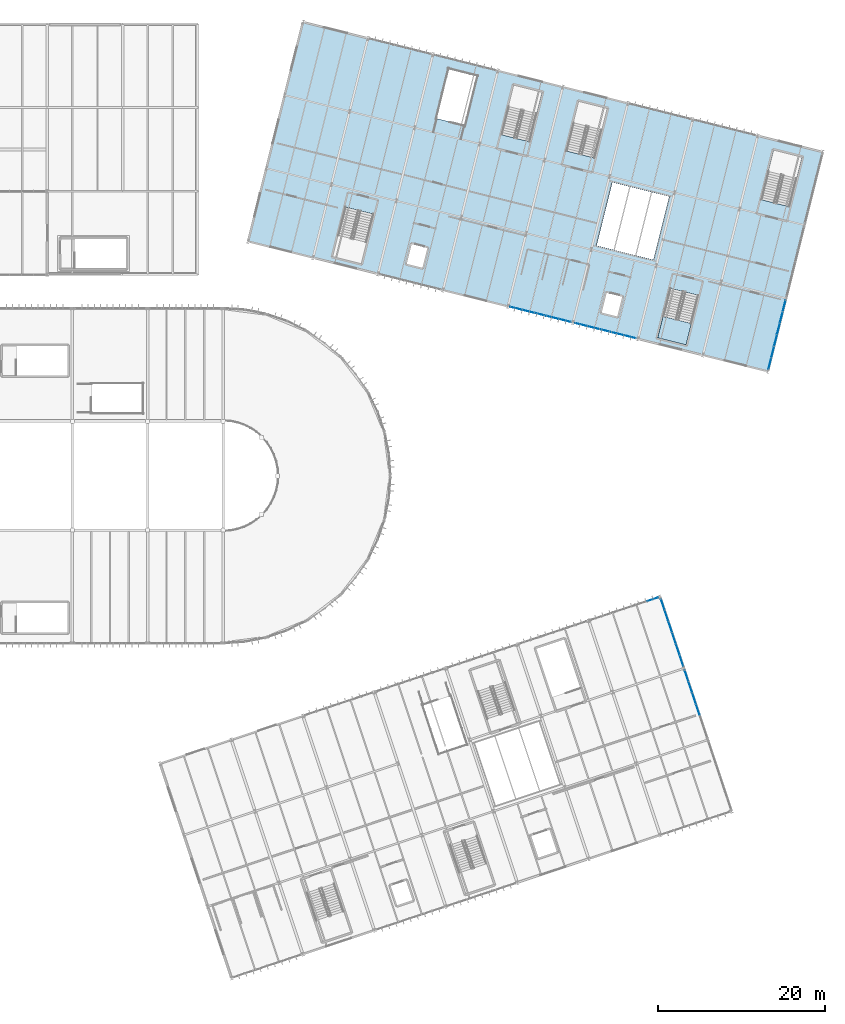
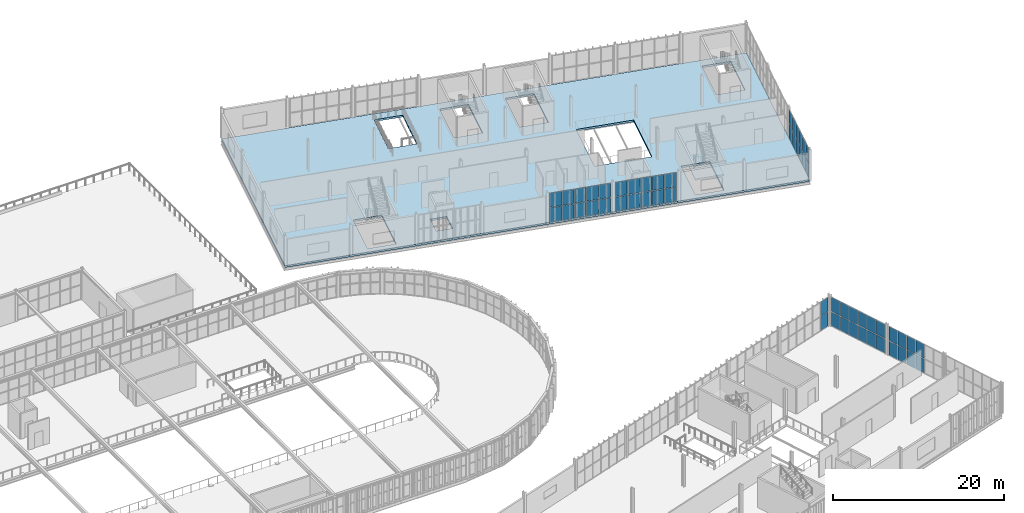
# One storey, part 115 of 152: 54 plates, 2 slabs, 7 elements without a shape of their own.
"""IFC4 building model written with IfcOpenShell, lengths in metres."""

from ifc_helpers import new_model, si_unit, derived_unit, direction, frame, origin, origin_2d, place, context, subcontext, project, spatial, polyline, rectangle, outline, extrude, material, layer, layer_set, type_object, element, aggregate, save


model = new_model("IFC4")

# Units and contexts
model_context = context("Model", 3, precision=1e-05, world=origin(), true_north=direction((0.0, 1.0)))
body_context = subcontext(model_context, "Body", "Model", "MODEL_VIEW")
ifc_project = project(units=[si_unit("LENGTHUNIT", "METRE"), si_unit("AREAUNIT", "SQUARE_METRE"), si_unit("VOLUMEUNIT", "CUBIC_METRE"), si_unit("PLANEANGLEUNIT", "RADIAN"), si_unit("MASSUNIT", "GRAM", prefix="KILO"), si_unit("THERMODYNAMICTEMPERATUREUNIT", "KELVIN"), si_unit("TIMEUNIT", "SECOND"), derived_unit("THERMALTRANSMITTANCEUNIT", [(si_unit("MASSUNIT", "GRAM", prefix="KILO"), 1), (si_unit("THERMODYNAMICTEMPERATUREUNIT", "KELVIN"), -1), (si_unit("TIMEUNIT", "SECOND"), -3)])], contexts=[model_context])

# Site, building, storey
site_placement = place(None, origin())
site = spatial("IfcSite", under=ifc_project, at=site_placement, CompositionType="ELEMENT")
building_placement = place(site_placement, origin())
building = spatial("IfcBuilding", under=site, at=building_placement, Name="Cambertide Market Hall", CompositionType="ELEMENT")
storey_placement = place(building_placement, frame((0.0, 0.0, 5.39990234375)))
storey = spatial("IfcBuildingStorey", under=building, at=storey_placement, Name="L02", CompositionType="ELEMENT", Elevation=5.39990234375)

# Stair, slab
ifc_material_1 = material(Name="Concrete B35", Category="concrete")
stair_type = type_object("IfcStairType", Name="Concrete Dogleg Stair ST-08A", PredefinedType="HALF_TURN_STAIR", material=ifc_material_1)
stair_placement = place(storey_placement, origin())
stair = element("IfcStair", 1, at=stair_placement, inside=storey, type_object=stair_type, Name="Level 2 Exit Stair Core 08A", PredefinedType="HALF_TURN_STAIR")
ifc_material_2 = material(Name="Concrete B35", Category="concrete")
ifc_layer_1 = layer(ifc_material_2, 0.199951171875, Name="Concrete Stair Half-Landing 200")
ifc_layer_set_1 = layer_set([ifc_layer_1], Name="Concrete B35")
slab_type_1 = type_object("IfcSlabType", Name="Concrete Stair Half-Landing 200", PredefinedType="LANDING", material=ifc_layer_set_1)
slab_1_placement = place(storey_placement, frame((0.0, 0.0, 2.050048828125)))
slab_1 = element("IfcSlab", 2, at=slab_1_placement, type_object=slab_type_1, Name="ST-08A landing 1", PredefinedType="LANDING", context=body_context, shape_type="SweptSolid", body=[
    extrude(outline(polyline([(157.555908203125, 91.037353515625), (156.91943359375, 88.49169921875), (160.31494140625, 87.642822265625), (160.951416015625, 90.1884765625), (157.555908203125, 91.037353515625)])), origin(), (0.0, 0.0, 1.0), 0.199951171875),
])
aggregate(stair, [slab_1])

# Slab
ifc_material_3 = material(Name="Concrete B30", Category="concrete")
ifc_layer_2 = layer(ifc_material_3, 0.264892578125, Name="Culinary Kitchen Suspended Slab 265")
ifc_layer_set_2 = layer_set([ifc_layer_2], Name="Concrete B30")
slab_type_2 = type_object("IfcSlabType", Name="Culinary Kitchen Suspended Slab 265", PredefinedType="FLOOR", material=ifc_layer_set_2)
slab_2_placement = place(storey_placement, frame((0.0, 0.0, -0.264892578125)))
element("IfcSlab", 3, at=slab_2_placement, inside=storey, type_object=slab_type_2, Name="Level 2 Slab SLB-L02-V4", PredefinedType="FLOOR", context=body_context, shape_type="SweptSolid", body=[
    extrude(outline(polyline([(108.0, 100.0), (170.089111328125, 84.477783203125), (176.6376953125, 110.671630859375), (114.548583984375, 126.19384765625), (108.0, 100.0)]), holes=[polyline([(122.98779296875, 103.25830078125), (121.50927734375, 97.34423828125), (118.11376953125, 98.193115234375), (119.59228515625, 104.107177734375), (122.98779296875, 103.25830078125)]), polyline([(138.2451171875, 112.7490234375), (139.7236328125, 118.6630859375), (143.119140625, 117.814208984375), (141.640625, 111.900146484375), (138.2451171875, 112.7490234375)]), polyline([(161.79345703125, 93.556884765625), (160.31494140625, 87.642822265625), (156.91943359375, 88.49169921875), (158.39794921875, 94.40576171875), (161.79345703125, 93.556884765625)]), polyline([(169.289794921875, 104.988037109375), (170.768310546875, 110.90185546875), (174.163818359375, 110.05322265625), (172.685302734375, 104.13916015625), (169.289794921875, 104.988037109375)]), polyline([(146.00634765625, 110.808837890625), (147.48486328125, 116.722900390625), (150.88037109375, 115.8740234375), (149.40185546875, 109.9599609375), (146.00634765625, 110.808837890625)]), polyline([(130.484130859375, 114.689453125), (131.96240234375, 120.603515625), (135.35791015625, 119.754638671875), (133.879638671875, 113.840576171875), (130.484130859375, 114.689453125)]), polyline([(127.511962890625, 99.708984375), (129.452392578125, 99.223876953125), (128.845947265625, 96.798583984375), (126.90576171875, 97.28369140625), (127.511962890625, 99.708984375)]), polyline([(150.79541015625, 93.88818359375), (152.735595703125, 93.403076171875), (152.12939453125, 90.977783203125), (150.18896484375, 91.462646484375), (150.79541015625, 93.88818359375)]), polyline([(151.510986328125, 107.057861328125), (158.302001953125, 105.360107421875), (156.41015625, 97.79296875), (149.619140625, 99.49072265625), (151.510986328125, 107.057861328125)])]), origin(), (0.0, 0.0, 1.0), 0.264892578125),
])

# Curtain wall, plates
ifc_material_4 = material(Name="Marine Anodized Aluminium 6063-T6 AA25", Category="aluminium")
curtain_wall_type_1 = type_object("IfcCurtainWallType", Name="Food Court Upper Glazed Facade", PredefinedType="USERDEFINED", material=ifc_material_4)
curtain_wall_1_placement = place(storey_placement, origin())
curtain_wall_1 = element("IfcCurtainWall", 4, at=curtain_wall_1_placement, inside=storey, type_object=curtain_wall_type_1, Name="Level 2 Curtain Wall CW-V3N-L02-7", ObjectType="UNITIZED CURTAIN WALL", PredefinedType="USERDEFINED")
ifc_material_5 = material(Name="Low-E Laminated Insulated Glass", Category="glass")
ifc_layer_3 = layer(ifc_material_5, 0.028076171875, Name="Vision Insulated Glazing Panel 28")
ifc_layer_set_3 = layer_set([ifc_layer_3], Name="Low-E Laminated Insulated Glass")
plate_type = type_object("IfcPlateType", Name="Vision Insulated Glazing Panel 28", PredefinedType="CURTAIN_PANEL", material=ifc_layer_set_3)
plate_1_placement = place(storey_placement, frame((156.32763671875, 57.236328125, 0.0400390625), z_axis=(0.0, 0.0, 1.0), x_axis=(0.948683286311, 0.316227801236, 0.0)))
plate_1 = element("IfcPlate", 5, at=plate_1_placement, type_object=plate_type, Name="CW-V3N-L02-7 Glazing Panel 1-6", PredefinedType="CURTAIN_PANEL", context=body_context, shape_type="SweptSolid", body=[
    extrude(rectangle(XDim=1.340087890625, YDim=0.028076171875, at=origin_2d()), origin(), (0.0, 0.0, 1.0), 2.02001953125),
])
plate_2_placement = place(storey_placement, frame((156.32763671875, 57.236328125, 2.14013671875), z_axis=(0.0, 0.0, 1.0), x_axis=(0.948683286311, 0.316227801236, 0.0)))
plate_2 = element("IfcPlate", 6, at=plate_2_placement, type_object=plate_type, Name="CW-V3N-L02-7 Glazing Panel 2-6", PredefinedType="CURTAIN_PANEL", context=body_context, shape_type="SweptSolid", body=[
    extrude(rectangle(XDim=1.340087890625, YDim=0.028076171875, at=origin_2d()), origin(), (0.0, 0.0, 1.0), 2.02001953125),
])
aggregate(curtain_wall_1, [plate_1, plate_2])

curtain_wall_2_placement = place(storey_placement, origin())
curtain_wall_2 = element("IfcCurtainWall", 7, at=curtain_wall_2_placement, inside=storey, type_object=curtain_wall_type_1, Name="Level 2 Curtain Wall CW-V3E-L02-2", ObjectType="UNITIZED CURTAIN WALL", PredefinedType="USERDEFINED")
plate_3_placement = place(storey_placement, frame((160.375244140625, 48.097412109375, 0.0400390625), z_axis=(0.0, 0.0, 1.0), x_axis=(0.316227695598, -0.948683321523, 0.0)))
plate_3 = element("IfcPlate", 8, at=plate_3_placement, type_object=plate_type, Name="CW-V3E-L02-2 Glazing Panel 1-1", PredefinedType="CURTAIN_PANEL", context=body_context, shape_type="SweptSolid", body=[
    extrude(rectangle(XDim=1.340087890625, YDim=0.028076171875, at=origin_2d()), origin(), (0.0, 0.0, 1.0), 2.02001953125),
])
plate_4_placement = place(storey_placement, frame((160.824462890625, 46.750244140625, 0.0400390625), z_axis=(0.0, 0.0, 1.0), x_axis=(0.316227695598, -0.948683321523, 0.0)))
plate_4 = element("IfcPlate", 9, at=plate_4_placement, type_object=plate_type, Name="CW-V3E-L02-2 Glazing Panel 1-2", PredefinedType="CURTAIN_PANEL", context=body_context, shape_type="SweptSolid", body=[
    extrude(rectangle(XDim=1.340087890625, YDim=0.028076171875, at=origin_2d()), origin(), (0.0, 0.0, 1.0), 2.02001953125),
])
plate_5_placement = place(storey_placement, frame((161.2734375, 45.403076171875, 0.0400390625), z_axis=(0.0, 0.0, 1.0), x_axis=(0.316227695598, -0.948683321523, 0.0)))
plate_5 = element("IfcPlate", 10, at=plate_5_placement, type_object=plate_type, Name="CW-V3E-L02-2 Glazing Panel 1-3", PredefinedType="CURTAIN_PANEL", context=body_context, shape_type="SweptSolid", body=[
    extrude(rectangle(XDim=1.340087890625, YDim=0.028076171875, at=origin_2d()), origin(), (0.0, 0.0, 1.0), 2.02001953125),
])
plate_6_placement = place(storey_placement, frame((161.722412109375, 44.055908203125, 0.0400390625), z_axis=(0.0, 0.0, 1.0), x_axis=(0.316227695598, -0.948683321523, 0.0)))
plate_6 = element("IfcPlate", 11, at=plate_6_placement, type_object=plate_type, Name="CW-V3E-L02-2 Glazing Panel 1-4", PredefinedType="CURTAIN_PANEL", context=body_context, shape_type="SweptSolid", body=[
    extrude(rectangle(XDim=1.340087890625, YDim=0.028076171875, at=origin_2d()), origin(), (0.0, 0.0, 1.0), 2.02001953125),
])
plate_7_placement = place(storey_placement, frame((160.375244140625, 48.097412109375, 2.14013671875), z_axis=(0.0, 0.0, 1.0), x_axis=(0.316227695598, -0.948683321523, 0.0)))
plate_7 = element("IfcPlate", 12, at=plate_7_placement, type_object=plate_type, Name="CW-V3E-L02-2 Glazing Panel 2-1", PredefinedType="CURTAIN_PANEL", context=body_context, shape_type="SweptSolid", body=[
    extrude(rectangle(XDim=1.340087890625, YDim=0.028076171875, at=origin_2d()), origin(), (0.0, 0.0, 1.0), 2.02001953125),
])
plate_8_placement = place(storey_placement, frame((160.824462890625, 46.750244140625, 2.14013671875), z_axis=(0.0, 0.0, 1.0), x_axis=(0.316227695598, -0.948683321523, 0.0)))
plate_8 = element("IfcPlate", 13, at=plate_8_placement, type_object=plate_type, Name="CW-V3E-L02-2 Glazing Panel 2-2", PredefinedType="CURTAIN_PANEL", context=body_context, shape_type="SweptSolid", body=[
    extrude(rectangle(XDim=1.340087890625, YDim=0.028076171875, at=origin_2d()), origin(), (0.0, 0.0, 1.0), 2.02001953125),
])
plate_9_placement = place(storey_placement, frame((161.2734375, 45.403076171875, 2.14013671875), z_axis=(0.0, 0.0, 1.0), x_axis=(0.316227695598, -0.948683321523, 0.0)))
plate_9 = element("IfcPlate", 14, at=plate_9_placement, type_object=plate_type, Name="CW-V3E-L02-2 Glazing Panel 2-3", PredefinedType="CURTAIN_PANEL", context=body_context, shape_type="SweptSolid", body=[
    extrude(rectangle(XDim=1.340087890625, YDim=0.028076171875, at=origin_2d()), origin(), (0.0, 0.0, 1.0), 2.02001953125),
])
plate_10_placement = place(storey_placement, frame((161.722412109375, 44.055908203125, 2.14013671875), z_axis=(0.0, 0.0, 1.0), x_axis=(0.316227695598, -0.948683321523, 0.0)))
plate_10 = element("IfcPlate", 15, at=plate_10_placement, type_object=plate_type, Name="CW-V3E-L02-2 Glazing Panel 2-4", PredefinedType="CURTAIN_PANEL", context=body_context, shape_type="SweptSolid", body=[
    extrude(rectangle(XDim=1.340087890625, YDim=0.028076171875, at=origin_2d()), origin(), (0.0, 0.0, 1.0), 2.02001953125),
])
aggregate(curtain_wall_2, [plate_3, plate_4, plate_5, plate_6, plate_7, plate_8, plate_9, plate_10])

curtain_wall_3_placement = place(storey_placement, origin())
curtain_wall_3 = element("IfcCurtainWall", 16, at=curtain_wall_3_placement, inside=storey, type_object=curtain_wall_type_1, Name="Level 2 Curtain Wall CW-V3E-L02-3", ObjectType="UNITIZED CURTAIN WALL", PredefinedType="USERDEFINED")
plate_11_placement = place(storey_placement, frame((157.529296875, 56.635498046875, 0.0400390625), z_axis=(0.0, 0.0, 1.0), x_axis=(0.3162277308, -0.948683309789, 0.0)))
plate_11 = element("IfcPlate", 17, at=plate_11_placement, type_object=plate_type, Name="CW-V3E-L02-3 Glazing Panel 1-1", PredefinedType="CURTAIN_PANEL", context=body_context, shape_type="SweptSolid", body=[
    extrude(rectangle(XDim=1.340087890625, YDim=0.028076171875, at=origin_2d()), origin(), (0.0, 0.0, 1.0), 2.02001953125),
])
plate_12_placement = place(storey_placement, frame((157.978271484375, 55.288330078125, 0.0400390625), z_axis=(0.0, 0.0, 1.0), x_axis=(0.3162277308, -0.948683309789, 0.0)))
plate_12 = element("IfcPlate", 18, at=plate_12_placement, type_object=plate_type, Name="CW-V3E-L02-3 Glazing Panel 1-2", PredefinedType="CURTAIN_PANEL", context=body_context, shape_type="SweptSolid", body=[
    extrude(rectangle(XDim=1.340087890625, YDim=0.028076171875, at=origin_2d()), origin(), (0.0, 0.0, 1.0), 2.02001953125),
])
plate_13_placement = place(storey_placement, frame((158.427490234375, 53.94140625, 0.0400390625), z_axis=(0.0, 0.0, 1.0), x_axis=(0.3162277308, -0.948683309789, 0.0)))
plate_13 = element("IfcPlate", 19, at=plate_13_placement, type_object=plate_type, Name="CW-V3E-L02-3 Glazing Panel 1-3", PredefinedType="CURTAIN_PANEL", context=body_context, shape_type="SweptSolid", body=[
    extrude(rectangle(XDim=1.340087890625, YDim=0.028076171875, at=origin_2d()), origin(), (0.0, 0.0, 1.0), 2.02001953125),
])
plate_14_placement = place(storey_placement, frame((158.87646484375, 52.59423828125, 0.0400390625), z_axis=(0.0, 0.0, 1.0), x_axis=(0.3162277308, -0.948683309789, 0.0)))
plate_14 = element("IfcPlate", 20, at=plate_14_placement, type_object=plate_type, Name="CW-V3E-L02-3 Glazing Panel 1-4", PredefinedType="CURTAIN_PANEL", context=body_context, shape_type="SweptSolid", body=[
    extrude(rectangle(XDim=1.340087890625, YDim=0.028076171875, at=origin_2d()), origin(), (0.0, 0.0, 1.0), 2.02001953125),
])
plate_15_placement = place(storey_placement, frame((159.325439453125, 51.2470703125, 0.0400390625), z_axis=(0.0, 0.0, 1.0), x_axis=(0.3162277308, -0.948683309789, 0.0)))
plate_15 = element("IfcPlate", 21, at=plate_15_placement, type_object=plate_type, Name="CW-V3E-L02-3 Glazing Panel 1-5", PredefinedType="CURTAIN_PANEL", context=body_context, shape_type="SweptSolid", body=[
    extrude(rectangle(XDim=1.340087890625, YDim=0.028076171875, at=origin_2d()), origin(), (0.0, 0.0, 1.0), 2.02001953125),
])
plate_16_placement = place(storey_placement, frame((159.7744140625, 49.89990234375, 0.0400390625), z_axis=(0.0, 0.0, 1.0), x_axis=(0.3162277308, -0.948683309789, 0.0)))
plate_16 = element("IfcPlate", 22, at=plate_16_placement, type_object=plate_type, Name="CW-V3E-L02-3 Glazing Panel 1-6", PredefinedType="CURTAIN_PANEL", context=body_context, shape_type="SweptSolid", body=[
    extrude(rectangle(XDim=1.340087890625, YDim=0.028076171875, at=origin_2d()), origin(), (0.0, 0.0, 1.0), 2.02001953125),
])
plate_17_placement = place(storey_placement, frame((157.529296875, 56.635498046875, 2.14013671875), z_axis=(0.0, 0.0, 1.0), x_axis=(0.3162277308, -0.948683309789, 0.0)))
plate_17 = element("IfcPlate", 23, at=plate_17_placement, type_object=plate_type, Name="CW-V3E-L02-3 Glazing Panel 2-1", PredefinedType="CURTAIN_PANEL", context=body_context, shape_type="SweptSolid", body=[
    extrude(rectangle(XDim=1.340087890625, YDim=0.028076171875, at=origin_2d()), origin(), (0.0, 0.0, 1.0), 2.02001953125),
])
plate_18_placement = place(storey_placement, frame((157.978271484375, 55.288330078125, 2.14013671875), z_axis=(0.0, 0.0, 1.0), x_axis=(0.3162277308, -0.948683309789, 0.0)))
plate_18 = element("IfcPlate", 24, at=plate_18_placement, type_object=plate_type, Name="CW-V3E-L02-3 Glazing Panel 2-2", PredefinedType="CURTAIN_PANEL", context=body_context, shape_type="SweptSolid", body=[
    extrude(rectangle(XDim=1.340087890625, YDim=0.028076171875, at=origin_2d()), origin(), (0.0, 0.0, 1.0), 2.02001953125),
])
plate_19_placement = place(storey_placement, frame((158.427490234375, 53.94140625, 2.14013671875), z_axis=(0.0, 0.0, 1.0), x_axis=(0.3162277308, -0.948683309789, 0.0)))
plate_19 = element("IfcPlate", 25, at=plate_19_placement, type_object=plate_type, Name="CW-V3E-L02-3 Glazing Panel 2-3", PredefinedType="CURTAIN_PANEL", context=body_context, shape_type="SweptSolid", body=[
    extrude(rectangle(XDim=1.340087890625, YDim=0.028076171875, at=origin_2d()), origin(), (0.0, 0.0, 1.0), 2.02001953125),
])
plate_20_placement = place(storey_placement, frame((158.87646484375, 52.59423828125, 2.14013671875), z_axis=(0.0, 0.0, 1.0), x_axis=(0.3162277308, -0.948683309789, 0.0)))
plate_20 = element("IfcPlate", 26, at=plate_20_placement, type_object=plate_type, Name="CW-V3E-L02-3 Glazing Panel 2-4", PredefinedType="CURTAIN_PANEL", context=body_context, shape_type="SweptSolid", body=[
    extrude(rectangle(XDim=1.340087890625, YDim=0.028076171875, at=origin_2d()), origin(), (0.0, 0.0, 1.0), 2.02001953125),
])
plate_21_placement = place(storey_placement, frame((159.325439453125, 51.2470703125, 2.14013671875), z_axis=(0.0, 0.0, 1.0), x_axis=(0.3162277308, -0.948683309789, 0.0)))
plate_21 = element("IfcPlate", 27, at=plate_21_placement, type_object=plate_type, Name="CW-V3E-L02-3 Glazing Panel 2-5", PredefinedType="CURTAIN_PANEL", context=body_context, shape_type="SweptSolid", body=[
    extrude(rectangle(XDim=1.340087890625, YDim=0.028076171875, at=origin_2d()), origin(), (0.0, 0.0, 1.0), 2.02001953125),
])
plate_22_placement = place(storey_placement, frame((159.7744140625, 49.89990234375, 2.14013671875), z_axis=(0.0, 0.0, 1.0), x_axis=(0.3162277308, -0.948683309789, 0.0)))
plate_22 = element("IfcPlate", 28, at=plate_22_placement, type_object=plate_type, Name="CW-V3E-L02-3 Glazing Panel 2-6", PredefinedType="CURTAIN_PANEL", context=body_context, shape_type="SweptSolid", body=[
    extrude(rectangle(XDim=1.340087890625, YDim=0.028076171875, at=origin_2d()), origin(), (0.0, 0.0, 1.0), 2.02001953125),
])
aggregate(curtain_wall_3, [plate_11, plate_12, plate_13, plate_14, plate_15, plate_16, plate_17, plate_18, plate_19, plate_20, plate_21, plate_22])

ifc_material_6 = material(Name="Marine Anodized Aluminium 6063-T6 AA25", Category="aluminium")
curtain_wall_type_2 = type_object("IfcCurtainWallType", Name="Cooking School Classroom Curtain Wall", PredefinedType="USERDEFINED", material=ifc_material_6)
curtain_wall_4_placement = place(storey_placement, origin())
curtain_wall_4 = element("IfcCurtainWall", 29, at=curtain_wall_4_placement, inside=storey, type_object=curtain_wall_type_2, Name="Level 2 Curtain Wall CW-V4S-L02-5", ObjectType="UNITIZED CURTAIN WALL", PredefinedType="USERDEFINED")
plate_23_placement = place(storey_placement, frame((145.84326171875, 90.5390625, 0.0400390625), z_axis=(0.0, 0.0, 1.0), x_axis=(-0.970142531436, 0.242535499875, 0.0)))
plate_23 = element("IfcPlate", 30, at=plate_23_placement, type_object=plate_type, Name="CW-V4S-L02-5 Glazing Panel 1-1", PredefinedType="CURTAIN_PANEL", context=body_context, shape_type="SweptSolid", body=[
    extrude(rectangle(XDim=1.424072265625, YDim=0.028076171875, at=origin_2d()), origin(), (0.0, 0.0, 1.0), 2.030029296875),
])
plate_24_placement = place(storey_placement, frame((144.38427734375, 90.904052734375, 0.0400390625), z_axis=(0.0, 0.0, 1.0), x_axis=(-0.970142531436, 0.242535499875, 0.0)))
plate_24 = element("IfcPlate", 31, at=plate_24_placement, type_object=plate_type, Name="CW-V4S-L02-5 Glazing Panel 1-2", PredefinedType="CURTAIN_PANEL", context=body_context, shape_type="SweptSolid", body=[
    extrude(rectangle(XDim=1.424072265625, YDim=0.028076171875, at=origin_2d()), origin(), (0.0, 0.0, 1.0), 2.030029296875),
])
plate_25_placement = place(storey_placement, frame((142.925048828125, 91.268798828125, 0.0400390625), z_axis=(0.0, 0.0, 1.0), x_axis=(-0.970142531436, 0.242535499875, 0.0)))
plate_25 = element("IfcPlate", 32, at=plate_25_placement, type_object=plate_type, Name="CW-V4S-L02-5 Glazing Panel 1-3", PredefinedType="CURTAIN_PANEL", context=body_context, shape_type="SweptSolid", body=[
    extrude(rectangle(XDim=1.424072265625, YDim=0.028076171875, at=origin_2d()), origin(), (0.0, 0.0, 1.0), 2.030029296875),
])
plate_26_placement = place(storey_placement, frame((141.466064453125, 91.633544921875, 0.0400390625), z_axis=(0.0, 0.0, 1.0), x_axis=(-0.970142531436, 0.242535499875, 0.0)))
plate_26 = element("IfcPlate", 33, at=plate_26_placement, type_object=plate_type, Name="CW-V4S-L02-5 Glazing Panel 1-4", PredefinedType="CURTAIN_PANEL", context=body_context, shape_type="SweptSolid", body=[
    extrude(rectangle(XDim=1.424072265625, YDim=0.028076171875, at=origin_2d()), origin(), (0.0, 0.0, 1.0), 2.030029296875),
])
plate_27_placement = place(storey_placement, frame((140.0068359375, 91.998291015625, 0.0400390625), z_axis=(0.0, 0.0, 1.0), x_axis=(-0.970142531436, 0.242535499875, 0.0)))
plate_27 = element("IfcPlate", 34, at=plate_27_placement, type_object=plate_type, Name="CW-V4S-L02-5 Glazing Panel 1-5", PredefinedType="CURTAIN_PANEL", context=body_context, shape_type="SweptSolid", body=[
    extrude(rectangle(XDim=1.424072265625, YDim=0.028076171875, at=origin_2d()), origin(), (0.0, 0.0, 1.0), 2.030029296875),
])
plate_28_placement = place(storey_placement, frame((145.84326171875, 90.5390625, 2.14990234375), z_axis=(0.0, 0.0, 1.0), x_axis=(-0.970142531436, 0.242535499875, 0.0)))
plate_28 = element("IfcPlate", 35, at=plate_28_placement, type_object=plate_type, Name="CW-V4S-L02-5 Glazing Panel 2-1", PredefinedType="CURTAIN_PANEL", context=body_context, shape_type="SweptSolid", body=[
    extrude(rectangle(XDim=1.424072265625, YDim=0.028076171875, at=origin_2d()), origin(), (0.0, 0.0, 1.0), 2.030029296875),
])
plate_29_placement = place(storey_placement, frame((144.38427734375, 90.904052734375, 2.14990234375), z_axis=(0.0, 0.0, 1.0), x_axis=(-0.970142531436, 0.242535499875, 0.0)))
plate_29 = element("IfcPlate", 36, at=plate_29_placement, type_object=plate_type, Name="CW-V4S-L02-5 Glazing Panel 2-2", PredefinedType="CURTAIN_PANEL", context=body_context, shape_type="SweptSolid", body=[
    extrude(rectangle(XDim=1.424072265625, YDim=0.028076171875, at=origin_2d()), origin(), (0.0, 0.0, 1.0), 2.030029296875),
])
plate_30_placement = place(storey_placement, frame((142.925048828125, 91.268798828125, 2.14990234375), z_axis=(0.0, 0.0, 1.0), x_axis=(-0.970142531436, 0.242535499875, 0.0)))
plate_30 = element("IfcPlate", 37, at=plate_30_placement, type_object=plate_type, Name="CW-V4S-L02-5 Glazing Panel 2-3", PredefinedType="CURTAIN_PANEL", context=body_context, shape_type="SweptSolid", body=[
    extrude(rectangle(XDim=1.424072265625, YDim=0.028076171875, at=origin_2d()), origin(), (0.0, 0.0, 1.0), 2.030029296875),
])
plate_31_placement = place(storey_placement, frame((141.466064453125, 91.633544921875, 2.14990234375), z_axis=(0.0, 0.0, 1.0), x_axis=(-0.970142531436, 0.242535499875, 0.0)))
plate_31 = element("IfcPlate", 38, at=plate_31_placement, type_object=plate_type, Name="CW-V4S-L02-5 Glazing Panel 2-4", PredefinedType="CURTAIN_PANEL", context=body_context, shape_type="SweptSolid", body=[
    extrude(rectangle(XDim=1.424072265625, YDim=0.028076171875, at=origin_2d()), origin(), (0.0, 0.0, 1.0), 2.030029296875),
])
plate_32_placement = place(storey_placement, frame((140.0068359375, 91.998291015625, 2.14990234375), z_axis=(0.0, 0.0, 1.0), x_axis=(-0.970142531436, 0.242535499875, 0.0)))
plate_32 = element("IfcPlate", 39, at=plate_32_placement, type_object=plate_type, Name="CW-V4S-L02-5 Glazing Panel 2-5", PredefinedType="CURTAIN_PANEL", context=body_context, shape_type="SweptSolid", body=[
    extrude(rectangle(XDim=1.424072265625, YDim=0.028076171875, at=origin_2d()), origin(), (0.0, 0.0, 1.0), 2.030029296875),
])
aggregate(curtain_wall_4, [plate_23, plate_24, plate_25, plate_26, plate_27, plate_28, plate_29, plate_30, plate_31, plate_32])

curtain_wall_5_placement = place(storey_placement, origin())
curtain_wall_5 = element("IfcCurtainWall", 40, at=curtain_wall_5_placement, inside=storey, type_object=curtain_wall_type_2, Name="Level 2 Curtain Wall CW-V4S-L02-6", ObjectType="UNITIZED CURTAIN WALL", PredefinedType="USERDEFINED")
plate_33_placement = place(storey_placement, frame((153.6044921875, 88.598876953125, 0.0400390625), z_axis=(0.0, 0.0, 1.0), x_axis=(-0.970142531436, 0.242535499875, 0.0)))
plate_33 = element("IfcPlate", 41, at=plate_33_placement, type_object=plate_type, Name="CW-V4S-L02-6 Glazing Panel 1-1", PredefinedType="CURTAIN_PANEL", context=body_context, shape_type="SweptSolid", body=[
    extrude(rectangle(XDim=1.424072265625, YDim=0.028076171875, at=origin_2d()), origin(), (0.0, 0.0, 1.0), 2.030029296875),
])
plate_34_placement = place(storey_placement, frame((152.145263671875, 88.963623046875, 0.0400390625), z_axis=(0.0, 0.0, 1.0), x_axis=(-0.970142531436, 0.242535499875, 0.0)))
plate_34 = element("IfcPlate", 42, at=plate_34_placement, type_object=plate_type, Name="CW-V4S-L02-6 Glazing Panel 1-2", PredefinedType="CURTAIN_PANEL", context=body_context, shape_type="SweptSolid", body=[
    extrude(rectangle(XDim=1.424072265625, YDim=0.028076171875, at=origin_2d()), origin(), (0.0, 0.0, 1.0), 2.030029296875),
])
plate_35_placement = place(storey_placement, frame((150.686279296875, 89.328369140625, 0.0400390625), z_axis=(0.0, 0.0, 1.0), x_axis=(-0.970142531436, 0.242535499875, 0.0)))
plate_35 = element("IfcPlate", 43, at=plate_35_placement, type_object=plate_type, Name="CW-V4S-L02-6 Glazing Panel 1-3", PredefinedType="CURTAIN_PANEL", context=body_context, shape_type="SweptSolid", body=[
    extrude(rectangle(XDim=1.424072265625, YDim=0.028076171875, at=origin_2d()), origin(), (0.0, 0.0, 1.0), 2.030029296875),
])
plate_36_placement = place(storey_placement, frame((149.227294921875, 89.693115234375, 0.0400390625), z_axis=(0.0, 0.0, 1.0), x_axis=(-0.970142531436, 0.242535499875, 0.0)))
plate_36 = element("IfcPlate", 44, at=plate_36_placement, type_object=plate_type, Name="CW-V4S-L02-6 Glazing Panel 1-4", PredefinedType="CURTAIN_PANEL", context=body_context, shape_type="SweptSolid", body=[
    extrude(rectangle(XDim=1.424072265625, YDim=0.028076171875, at=origin_2d()), origin(), (0.0, 0.0, 1.0), 2.030029296875),
])
plate_37_placement = place(storey_placement, frame((147.76806640625, 90.057861328125, 0.0400390625), z_axis=(0.0, 0.0, 1.0), x_axis=(-0.970142531436, 0.242535499875, 0.0)))
plate_37 = element("IfcPlate", 45, at=plate_37_placement, type_object=plate_type, Name="CW-V4S-L02-6 Glazing Panel 1-5", PredefinedType="CURTAIN_PANEL", context=body_context, shape_type="SweptSolid", body=[
    extrude(rectangle(XDim=1.424072265625, YDim=0.028076171875, at=origin_2d()), origin(), (0.0, 0.0, 1.0), 2.030029296875),
])
plate_38_placement = place(storey_placement, frame((153.6044921875, 88.598876953125, 2.14990234375), z_axis=(0.0, 0.0, 1.0), x_axis=(-0.970142531436, 0.242535499875, 0.0)))
plate_38 = element("IfcPlate", 46, at=plate_38_placement, type_object=plate_type, Name="CW-V4S-L02-6 Glazing Panel 2-1", PredefinedType="CURTAIN_PANEL", context=body_context, shape_type="SweptSolid", body=[
    extrude(rectangle(XDim=1.424072265625, YDim=0.028076171875, at=origin_2d()), origin(), (0.0, 0.0, 1.0), 2.030029296875),
])
plate_39_placement = place(storey_placement, frame((152.145263671875, 88.963623046875, 2.14990234375), z_axis=(0.0, 0.0, 1.0), x_axis=(-0.970142531436, 0.242535499875, 0.0)))
plate_39 = element("IfcPlate", 47, at=plate_39_placement, type_object=plate_type, Name="CW-V4S-L02-6 Glazing Panel 2-2", PredefinedType="CURTAIN_PANEL", context=body_context, shape_type="SweptSolid", body=[
    extrude(rectangle(XDim=1.424072265625, YDim=0.028076171875, at=origin_2d()), origin(), (0.0, 0.0, 1.0), 2.030029296875),
])
plate_40_placement = place(storey_placement, frame((150.686279296875, 89.328369140625, 2.14990234375), z_axis=(0.0, 0.0, 1.0), x_axis=(-0.970142531436, 0.242535499875, 0.0)))
plate_40 = element("IfcPlate", 48, at=plate_40_placement, type_object=plate_type, Name="CW-V4S-L02-6 Glazing Panel 2-3", PredefinedType="CURTAIN_PANEL", context=body_context, shape_type="SweptSolid", body=[
    extrude(rectangle(XDim=1.424072265625, YDim=0.028076171875, at=origin_2d()), origin(), (0.0, 0.0, 1.0), 2.030029296875),
])
plate_41_placement = place(storey_placement, frame((149.227294921875, 89.693115234375, 2.14990234375), z_axis=(0.0, 0.0, 1.0), x_axis=(-0.970142531436, 0.242535499875, 0.0)))
plate_41 = element("IfcPlate", 49, at=plate_41_placement, type_object=plate_type, Name="CW-V4S-L02-6 Glazing Panel 2-4", PredefinedType="CURTAIN_PANEL", context=body_context, shape_type="SweptSolid", body=[
    extrude(rectangle(XDim=1.424072265625, YDim=0.028076171875, at=origin_2d()), origin(), (0.0, 0.0, 1.0), 2.030029296875),
])
plate_42_placement = place(storey_placement, frame((147.76806640625, 90.057861328125, 2.14990234375), z_axis=(0.0, 0.0, 1.0), x_axis=(-0.970142531436, 0.242535499875, 0.0)))
plate_42 = element("IfcPlate", 50, at=plate_42_placement, type_object=plate_type, Name="CW-V4S-L02-6 Glazing Panel 2-5", PredefinedType="CURTAIN_PANEL", context=body_context, shape_type="SweptSolid", body=[
    extrude(rectangle(XDim=1.424072265625, YDim=0.028076171875, at=origin_2d()), origin(), (0.0, 0.0, 1.0), 2.030029296875),
])
aggregate(curtain_wall_5, [plate_33, plate_34, plate_35, plate_36, plate_37, plate_38, plate_39, plate_40, plate_41, plate_42])

curtain_wall_6_placement = place(storey_placement, origin())
curtain_wall_6 = element("IfcCurtainWall", 51, at=curtain_wall_6_placement, inside=storey, type_object=curtain_wall_type_2, Name="Level 2 Curtain Wall CW-V4E-L02-1", ObjectType="UNITIZED CURTAIN WALL", PredefinedType="USERDEFINED")
plate_43_placement = place(storey_placement, frame((172.04150390625, 92.287353515625, 0.0400390625), z_axis=(0.0, 0.0, 1.0), x_axis=(-0.242535569805, -0.970142513953, 0.0)))
plate_43 = element("IfcPlate", 52, at=plate_43_placement, type_object=plate_type, Name="CW-V4E-L02-1 Glazing Panel 1-1", PredefinedType="CURTAIN_PANEL", context=body_context, shape_type="SweptSolid", body=[
    extrude(rectangle(XDim=1.340087890625, YDim=0.028076171875, at=origin_2d()), origin(), (0.0, 0.0, 1.0), 2.030029296875),
])
plate_44_placement = place(storey_placement, frame((171.697021484375, 90.90966796875, 0.0400390625), z_axis=(0.0, 0.0, 1.0), x_axis=(-0.242535569805, -0.970142513953, 0.0)))
plate_44 = element("IfcPlate", 53, at=plate_44_placement, type_object=plate_type, Name="CW-V4E-L02-1 Glazing Panel 1-2", PredefinedType="CURTAIN_PANEL", context=body_context, shape_type="SweptSolid", body=[
    extrude(rectangle(XDim=1.340087890625, YDim=0.028076171875, at=origin_2d()), origin(), (0.0, 0.0, 1.0), 2.030029296875),
])
plate_45_placement = place(storey_placement, frame((171.352783203125, 89.5322265625, 0.0400390625), z_axis=(0.0, 0.0, 1.0), x_axis=(-0.242535569805, -0.970142513953, 0.0)))
plate_45 = element("IfcPlate", 54, at=plate_45_placement, type_object=plate_type, Name="CW-V4E-L02-1 Glazing Panel 1-3", PredefinedType="CURTAIN_PANEL", context=body_context, shape_type="SweptSolid", body=[
    extrude(rectangle(XDim=1.340087890625, YDim=0.028076171875, at=origin_2d()), origin(), (0.0, 0.0, 1.0), 2.030029296875),
])
plate_46_placement = place(storey_placement, frame((171.00830078125, 88.154541015625, 0.0400390625), z_axis=(0.0, 0.0, 1.0), x_axis=(-0.242535569805, -0.970142513953, 0.0)))
plate_46 = element("IfcPlate", 55, at=plate_46_placement, type_object=plate_type, Name="CW-V4E-L02-1 Glazing Panel 1-4", PredefinedType="CURTAIN_PANEL", context=body_context, shape_type="SweptSolid", body=[
    extrude(rectangle(XDim=1.340087890625, YDim=0.028076171875, at=origin_2d()), origin(), (0.0, 0.0, 1.0), 2.030029296875),
])
plate_47_placement = place(storey_placement, frame((170.663818359375, 86.77685546875, 0.0400390625), z_axis=(0.0, 0.0, 1.0), x_axis=(-0.242535569805, -0.970142513953, 0.0)))
plate_47 = element("IfcPlate", 56, at=plate_47_placement, type_object=plate_type, Name="CW-V4E-L02-1 Glazing Panel 1-5", PredefinedType="CURTAIN_PANEL", context=body_context, shape_type="SweptSolid", body=[
    extrude(rectangle(XDim=1.340087890625, YDim=0.028076171875, at=origin_2d()), origin(), (0.0, 0.0, 1.0), 2.030029296875),
])
plate_48_placement = place(storey_placement, frame((170.319580078125, 85.3994140625, 0.0400390625), z_axis=(0.0, 0.0, 1.0), x_axis=(-0.242535569805, -0.970142513953, 0.0)))
plate_48 = element("IfcPlate", 57, at=plate_48_placement, type_object=plate_type, Name="CW-V4E-L02-1 Glazing Panel 1-6", PredefinedType="CURTAIN_PANEL", context=body_context, shape_type="SweptSolid", body=[
    extrude(rectangle(XDim=1.340087890625, YDim=0.028076171875, at=origin_2d()), origin(), (0.0, 0.0, 1.0), 2.030029296875),
])
plate_49_placement = place(storey_placement, frame((172.04150390625, 92.287353515625, 2.14990234375), z_axis=(0.0, 0.0, 1.0), x_axis=(-0.242535569805, -0.970142513953, 0.0)))
plate_49 = element("IfcPlate", 58, at=plate_49_placement, type_object=plate_type, Name="CW-V4E-L02-1 Glazing Panel 2-1", PredefinedType="CURTAIN_PANEL", context=body_context, shape_type="SweptSolid", body=[
    extrude(rectangle(XDim=1.340087890625, YDim=0.028076171875, at=origin_2d()), origin(), (0.0, 0.0, 1.0), 2.030029296875),
])
plate_50_placement = place(storey_placement, frame((171.697021484375, 90.90966796875, 2.14990234375), z_axis=(0.0, 0.0, 1.0), x_axis=(-0.242535569805, -0.970142513953, 0.0)))
plate_50 = element("IfcPlate", 59, at=plate_50_placement, type_object=plate_type, Name="CW-V4E-L02-1 Glazing Panel 2-2", PredefinedType="CURTAIN_PANEL", context=body_context, shape_type="SweptSolid", body=[
    extrude(rectangle(XDim=1.340087890625, YDim=0.028076171875, at=origin_2d()), origin(), (0.0, 0.0, 1.0), 2.030029296875),
])
plate_51_placement = place(storey_placement, frame((171.352783203125, 89.5322265625, 2.14990234375), z_axis=(0.0, 0.0, 1.0), x_axis=(-0.242535569805, -0.970142513953, 0.0)))
plate_51 = element("IfcPlate", 60, at=plate_51_placement, type_object=plate_type, Name="CW-V4E-L02-1 Glazing Panel 2-3", PredefinedType="CURTAIN_PANEL", context=body_context, shape_type="SweptSolid", body=[
    extrude(rectangle(XDim=1.340087890625, YDim=0.028076171875, at=origin_2d()), origin(), (0.0, 0.0, 1.0), 2.030029296875),
])
plate_52_placement = place(storey_placement, frame((171.00830078125, 88.154541015625, 2.14990234375), z_axis=(0.0, 0.0, 1.0), x_axis=(-0.242535569805, -0.970142513953, 0.0)))
plate_52 = element("IfcPlate", 61, at=plate_52_placement, type_object=plate_type, Name="CW-V4E-L02-1 Glazing Panel 2-4", PredefinedType="CURTAIN_PANEL", context=body_context, shape_type="SweptSolid", body=[
    extrude(rectangle(XDim=1.340087890625, YDim=0.028076171875, at=origin_2d()), origin(), (0.0, 0.0, 1.0), 2.030029296875),
])
plate_53_placement = place(storey_placement, frame((170.663818359375, 86.77685546875, 2.14990234375), z_axis=(0.0, 0.0, 1.0), x_axis=(-0.242535569805, -0.970142513953, 0.0)))
plate_53 = element("IfcPlate", 62, at=plate_53_placement, type_object=plate_type, Name="CW-V4E-L02-1 Glazing Panel 2-5", PredefinedType="CURTAIN_PANEL", context=body_context, shape_type="SweptSolid", body=[
    extrude(rectangle(XDim=1.340087890625, YDim=0.028076171875, at=origin_2d()), origin(), (0.0, 0.0, 1.0), 2.030029296875),
])
plate_54_placement = place(storey_placement, frame((170.319580078125, 85.3994140625, 2.14990234375), z_axis=(0.0, 0.0, 1.0), x_axis=(-0.242535569805, -0.970142513953, 0.0)))
plate_54 = element("IfcPlate", 63, at=plate_54_placement, type_object=plate_type, Name="CW-V4E-L02-1 Glazing Panel 2-6", PredefinedType="CURTAIN_PANEL", context=body_context, shape_type="SweptSolid", body=[
    extrude(rectangle(XDim=1.340087890625, YDim=0.028076171875, at=origin_2d()), origin(), (0.0, 0.0, 1.0), 2.030029296875),
])
aggregate(curtain_wall_6, [plate_43, plate_44, plate_45, plate_46, plate_47, plate_48, plate_49, plate_50, plate_51, plate_52, plate_53, plate_54])

save(model, "model.ifc")
